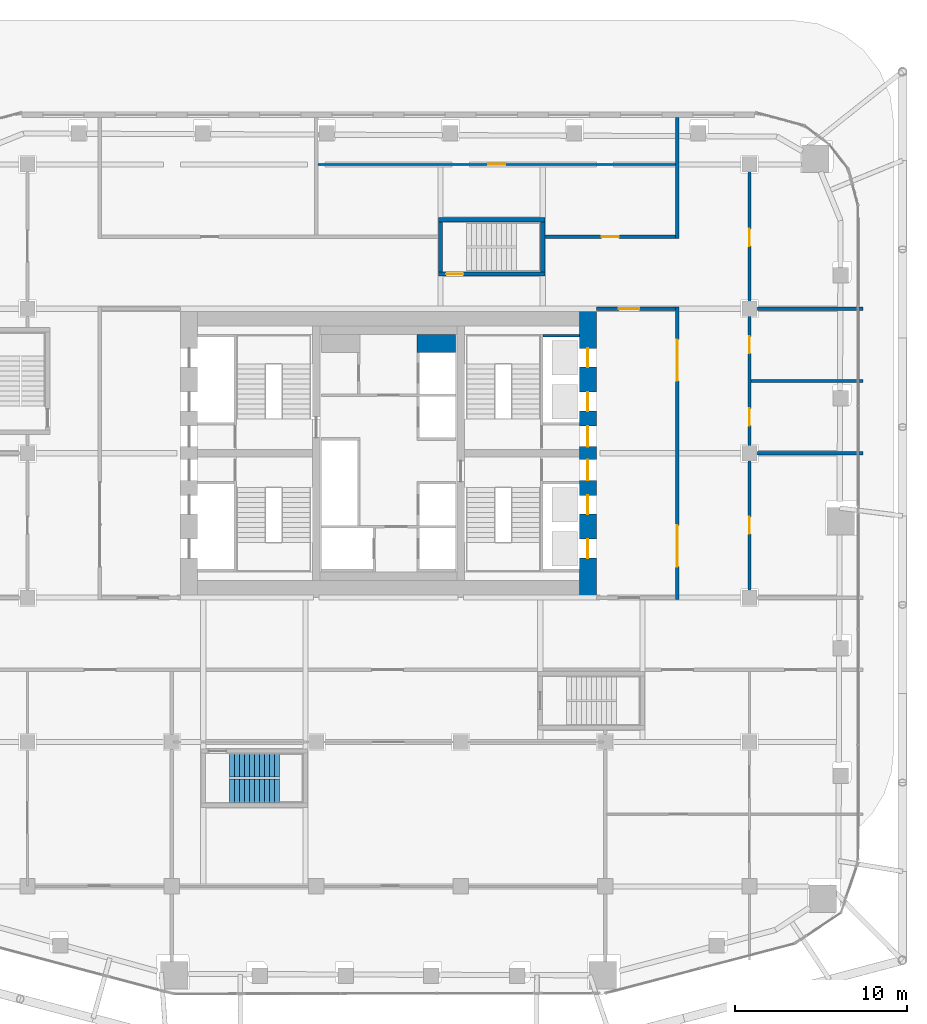
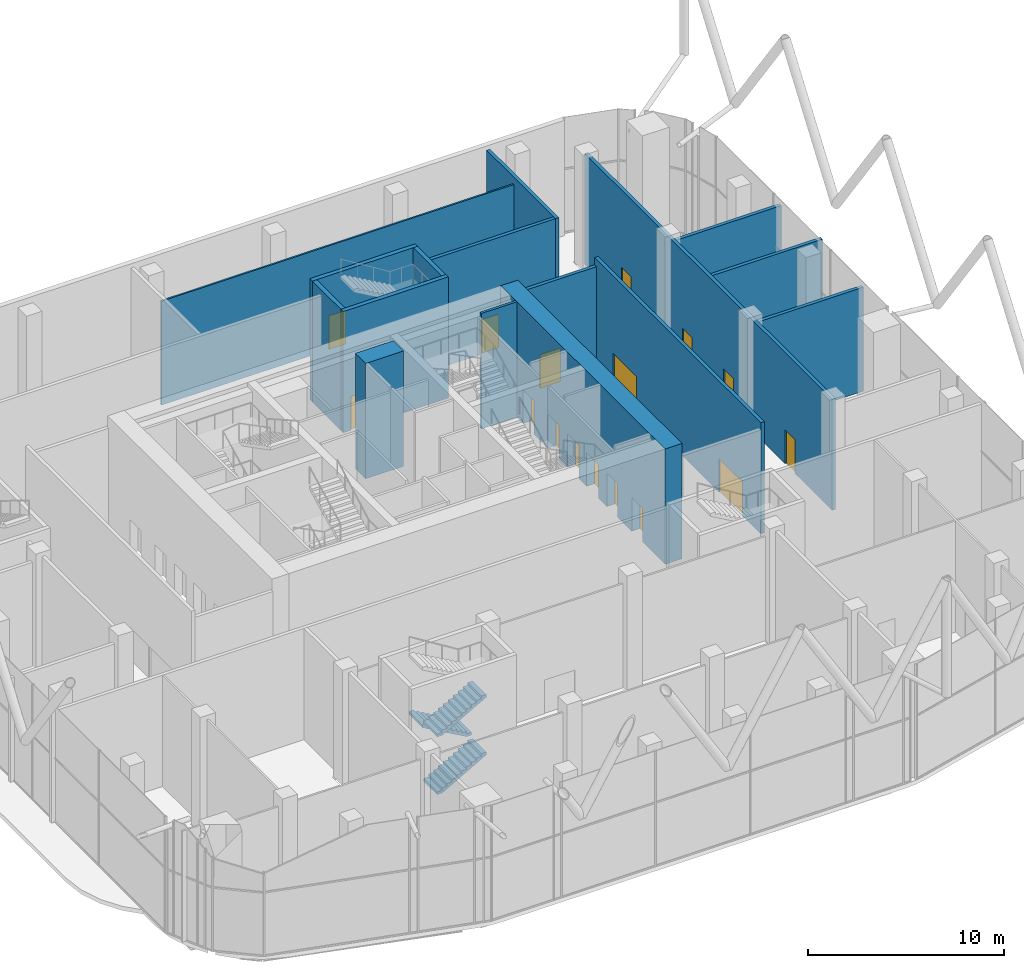
# One storey, part 28 of 34: 16 doors, 16 walls, 3 stair flights, 16 openings, 1 element without a shape of its own.
"""IFC4 building model written with IfcOpenShell, lengths in metres."""

from ifc_helpers import new_model, si_unit, direction, frame, frame_2d, origin, place, context, subcontext, project, spatial, polyline, rectangle, outline, extrude, material, layer, layer_set, type_object, element, fill, aggregate, save


model = new_model("IFC4")

# Units and contexts
model_context = context("Model", 3, precision=1e-05, world=origin(), true_north=direction((0.0, 1.0)))
body_context = subcontext(model_context, "Body", "Model", "MODEL_VIEW")
ifc_project = project(units=[si_unit("LENGTHUNIT", "METRE"), si_unit("AREAUNIT", "SQUARE_METRE"), si_unit("VOLUMEUNIT", "CUBIC_METRE"), si_unit("PLANEANGLEUNIT", "RADIAN"), si_unit("MASSUNIT", "GRAM", prefix="KILO")], contexts=[model_context])

# Site, building, storey
site_placement = place(None, origin())
site = spatial("IfcSite", under=ifc_project, at=site_placement, CompositionType="ELEMENT")
building_placement = place(site_placement, origin())
building = spatial("IfcBuilding", under=site, at=building_placement, Name="Marenta Gate Hotel Tower", CompositionType="ELEMENT")
storey_placement = place(building_placement, frame((0.0, 0.0, 97.699951171875)))
storey = spatial("IfcBuildingStorey", under=building, at=storey_placement, Name="L21", CompositionType="ELEMENT", Elevation=97.699951171875)

# Wall, openings, doors
ifc_material_1 = material(Name="Concrete blockwork", Category="masonry")
ifc_layer_1 = layer(ifc_material_1, 0.199951171875)
ifc_layer_set_1 = layer_set([ifc_layer_1], Name="Concrete blockwork")
wall_type_1 = type_object("IfcWallType", Name="Core boundary wall 200 REI 180", PredefinedType="PARTITIONING", material=ifc_layer_set_1)
wall_1_placement = place(storey_placement, frame((16.800048828125, -0.10009765625, 0.0), z_axis=(0.0, 0.0, 1.0), x_axis=(0.0, 1.0, 0.0)))
wall_1 = element("IfcWall", 1, at=wall_1_placement, inside=storey, type_object=wall_type_1, Name="L21-CP-BW-E", PredefinedType="PARTITIONING", context=body_context, shape_type="SweptSolid", body=[
    extrude(rectangle(XDim=17.0, YDim=0.199951171875, at=frame_2d((8.5, 0.0))), origin(), (0.0, 0.0, 1.0), 6.93994140625),
])
opening_1_placement = place(wall_1_placement, frame((1.89990234375, 0.0, 0.0)))
opening_1 = element("IfcOpeningElement", 2, at=opening_1_placement, cuts=wall_1, Name="Opening ED-Ea-A", PredefinedType="OPENING", context=body_context, shape_type="SweptSolid", body=[
    extrude(rectangle(XDim=2.39990234375, YDim=2.10009765625, at=frame_2d((1.199951171875, 1.050048828125))), frame((0.0, 0.10009765625, 0.0), z_axis=(0.0, -1.0, 0.0), x_axis=(1.0, 0.0, 0.0)), (0.0, 0.0, 1.0), 0.199951171875),
])
opening_2_placement = place(wall_1_placement, frame((12.699951171875, 0.0, 0.0)))
opening_2 = element("IfcOpeningElement", 3, at=opening_2_placement, cuts=wall_1, Name="Opening ED-Eb-A", PredefinedType="OPENING", context=body_context, shape_type="SweptSolid", body=[
    extrude(rectangle(XDim=2.39990234375, YDim=2.10009765625, at=frame_2d((1.199951171875, 1.050048828125))), frame((0.0, 0.10009765625, 0.0), z_axis=(0.0, -1.0, 0.0), x_axis=(1.0, 0.0, 0.0)), (0.0, 0.0, 1.0), 0.199951171875),
])
ifc_material_2 = material(Name="Steel", Category="steel")
door_type_1 = type_object("IfcDoorType", Name="Core lobby entrance door 2400x2100 EI 60", OperationType="DOUBLE_DOOR_SINGLE_SWING", PredefinedType="DOOR", material=ifc_material_2)
door_1_placement = place(opening_1_placement, origin())
door_1 = element("IfcDoor", 4, at=door_1_placement, inside=storey, type_object=door_type_1, Name="ED-Ea-A", OperationType="DOUBLE_DOOR_SINGLE_SWING", OverallHeight=2.10009765625, OverallWidth=2.39990234375, PredefinedType="DOOR", context=body_context, shape_type="SweptSolid", body=[
    extrude(rectangle(XDim=2.39990234375, YDim=2.10009765625, at=frame_2d((1.199951171875, 1.050048828125))), frame((0.0, 0.02490234375, 0.0), z_axis=(0.0, -1.0, 0.0), x_axis=(1.0, 0.0, 0.0)), (0.0, 0.0, 1.0), 0.050048828125),
])
fill(opening_1, door_1)
door_2_placement = place(opening_2_placement, origin())
door_2 = element("IfcDoor", 5, at=door_2_placement, inside=storey, type_object=door_type_1, Name="ED-Eb-A", OperationType="DOUBLE_DOOR_SINGLE_SWING", OverallHeight=2.10009765625, OverallWidth=2.39990234375, PredefinedType="DOOR", context=body_context, shape_type="SweptSolid", body=[
    extrude(rectangle(XDim=2.39990234375, YDim=2.10009765625, at=frame_2d((1.199951171875, 1.050048828125))), frame((0.0, 0.02490234375, 0.0), z_axis=(0.0, -1.0, 0.0), x_axis=(1.0, 0.0, 0.0)), (0.0, 0.0, 1.0), 0.050048828125),
])
fill(opening_2, door_2)

# Wall, opening, door
wall_2_placement = place(storey_placement, frame((12.10009765625, 16.800048828125, 0.0), z_axis=(0.0, 0.0, 1.0), x_axis=(1.0, 0.0, 0.0)))
wall_2 = element("IfcWall", 6, at=wall_2_placement, inside=storey, type_object=wall_type_1, Name="L21-CP-EW-EN", PredefinedType="PARTITIONING", context=body_context, shape_type="SweptSolid", body=[
    extrude(rectangle(XDim=4.599853515625, YDim=0.199951171875, at=frame_2d((2.2998046875, 0.0))), origin(), (0.0, 0.0, 1.0), 6.489990234375),
])
opening_3_placement = place(wall_2_placement, frame((1.300048828125, 0.0, 0.0)))
opening_3 = element("IfcOpeningElement", 7, at=opening_3_placement, cuts=wall_2, Name="Opening RS-Z2-4", PredefinedType="OPENING", context=body_context, shape_type="SweptSolid", body=[
    extrude(rectangle(XDim=1.199951171875, YDim=2.10009765625, at=frame_2d((0.60009765625, 1.050048828125))), frame((0.0, 0.10009765625, 0.0), z_axis=(0.0, -1.0, 0.0), x_axis=(1.0, 0.0, 0.0)), (0.0, 0.0, 1.0), 0.199951171875),
])
ifc_material_3 = material(Name="Steel", Category="steel")
door_type_2 = type_object("IfcDoorType", Name="Core lobby door 1200x2100 EI 60", OperationType="SINGLE_SWING_LEFT", PredefinedType="DOOR", material=ifc_material_3)
door_3_placement = place(opening_3_placement, origin())
door_3 = element("IfcDoor", 8, at=door_3_placement, inside=storey, type_object=door_type_2, Name="RS-Z2-4", OperationType="SINGLE_SWING_LEFT", OverallHeight=2.10009765625, OverallWidth=1.199951171875, PredefinedType="DOOR", context=body_context, shape_type="SweptSolid", body=[
    extrude(rectangle(XDim=1.199951171875, YDim=2.10009765625, at=frame_2d((0.60009765625, 1.050048828125))), frame((0.0, 0.02490234375, 0.0), z_axis=(0.0, -1.0, 0.0), x_axis=(1.0, 0.0, 0.0)), (0.0, 0.0, 1.0), 0.050048828125),
])
fill(opening_3, door_3)

# Walls
ifc_material_4 = material(Name="Concrete C40", Category="concrete")
ifc_layer_2 = layer(ifc_material_4, 1.050048828125)
ifc_layer_set_2 = layer_set([ifc_layer_2], Name="Concrete C40")
wall_type_2 = type_object("IfcWallType", Name="Core shaft wall 1050 REI 180", PredefinedType="SHEAR", material=ifc_layer_set_2)
wall_3_placement = place(storey_placement, frame((1.64990234375, 14.77490234375, 0.0), z_axis=(0.0, 0.0, 1.0), x_axis=(1.0, 0.0, 0.0)))
element("IfcWall", 9, at=wall_3_placement, inside=storey, type_object=wall_type_2, Name="L21-SHF-CE-N-top", PredefinedType="SHEAR", context=body_context, shape_type="SweptSolid", body=[
    extrude(rectangle(XDim=2.25, YDim=1.050048828125, at=frame_2d((1.125, 0.0))), origin(), (0.0, 0.0, 1.0), 7.199951171875),
])
ifc_material_5 = material(Name="Concrete C40", Category="concrete")
ifc_layer_3 = layer(ifc_material_5, 0.14990234375)
ifc_layer_set_3 = layer_set([ifc_layer_3], Name="Concrete C40")
wall_type_3 = type_object("IfcWallType", Name="Core shaft wall 150 REI 180", PredefinedType="SHEAR", material=ifc_layer_set_3)
wall_4_placement = place(storey_placement, frame((9.0, 15.22509765625, 0.0), z_axis=(0.0, 0.0, 1.0), x_axis=(1.0, 0.0, 0.0)))
element("IfcWall", 10, at=wall_4_placement, inside=storey, type_object=wall_type_3, Name="L21-SHF-SW-EN-5", PredefinedType="SHEAR", context=body_context, shape_type="SweptSolid", body=[
    extrude(rectangle(XDim=2.10009765625, YDim=0.14990234375, at=frame_2d((1.050048828125, 0.0))), origin(), (0.0, 0.0, 1.0), 7.199951171875),
])

# Wall, openings, doors
ifc_material_6 = material(Name="Concrete C70", Category="concrete")
ifc_layer_4 = layer(ifc_material_6, 1.0)
ifc_layer_set_4 = layer_set([ifc_layer_4], Name="Concrete C70")
wall_type_4 = type_object("IfcWallType", Name="Core wall 1000 C70", PredefinedType="SHEAR", material=ifc_layer_set_4)
wall_5_placement = place(storey_placement, frame((11.60009765625, 0.0, 0.0), z_axis=(0.0, 0.0, 1.0), x_axis=(0.0, 1.0, 0.0)))
wall_5 = element("IfcWall", 11, at=wall_5_placement, inside=storey, type_object=wall_type_4, Name="L21-CORE-E", PredefinedType="SHEAR", context=body_context, shape_type="SweptSolid", body=[
    extrude(rectangle(XDim=16.800048828125, YDim=1.0, at=frame_2d((8.39990234375, 0.0))), origin(), (0.0, 0.0, 1.0), 7.199951171875),
])
opening_4_placement = place(wall_5_placement, frame((2.300048828125, 0.0, 0.0)))
opening_4 = element("IfcOpeningElement", 12, at=opening_4_placement, cuts=wall_5, Name="Opening LD-HR1", PredefinedType="OPENING", context=body_context, shape_type="SweptSolid", body=[
    extrude(rectangle(XDim=1.10009765625, YDim=2.10009765625, at=frame_2d((0.550048828125, 1.050048828125))), frame((0.0, 0.5, 0.0), z_axis=(0.0, -1.0, 0.0), x_axis=(1.0, 0.0, 0.0)), (0.0, 0.0, 1.0), 1.0),
])
opening_5_placement = place(wall_5_placement, frame((4.85009765625, 0.0, 0.0)))
opening_5 = element("IfcOpeningElement", 13, at=opening_5_placement, cuts=wall_5, Name="Opening LD-HR2", PredefinedType="OPENING", context=body_context, shape_type="SweptSolid", body=[
    extrude(rectangle(XDim=1.10009765625, YDim=2.10009765625, at=frame_2d((0.550048828125, 1.050048828125))), frame((0.0, 0.5, 0.0), z_axis=(0.0, -1.0, 0.0), x_axis=(1.0, 0.0, 0.0)), (0.0, 0.0, 1.0), 1.0),
])
opening_6_placement = place(wall_5_placement, frame((6.824951171875, 0.0, 0.0)))
opening_6 = element("IfcOpeningElement", 14, at=opening_6_placement, cuts=wall_5, Name="Opening PD-ES", PredefinedType="OPENING", context=body_context, shape_type="SweptSolid", body=[
    extrude(rectangle(XDim=1.199951171875, YDim=2.10009765625, at=frame_2d((0.60009765625, 1.050048828125))), frame((0.0, 0.5, 0.0), z_axis=(0.0, -1.0, 0.0), x_axis=(1.0, 0.0, 0.0)), (0.0, 0.0, 1.0), 1.0),
])
opening_7_placement = place(wall_5_placement, frame((13.39990234375, 0.0, 0.0)))
opening_7 = element("IfcOpeningElement", 15, at=opening_7_placement, cuts=wall_5, Name="Opening LD-HR4", PredefinedType="OPENING", context=body_context, shape_type="SweptSolid", body=[
    extrude(rectangle(XDim=1.10009765625, YDim=2.10009765625, at=frame_2d((0.550048828125, 1.050048828125))), frame((0.0, 0.5, 0.0), z_axis=(0.0, -1.0, 0.0), x_axis=(1.0, 0.0, 0.0)), (0.0, 0.0, 1.0), 1.0),
])
opening_8_placement = place(wall_5_placement, frame((10.85009765625, 0.0, 0.0)))
opening_8 = element("IfcOpeningElement", 16, at=opening_8_placement, cuts=wall_5, Name="Opening LD-HR3", PredefinedType="OPENING", context=body_context, shape_type="SweptSolid", body=[
    extrude(rectangle(XDim=1.10009765625, YDim=2.10009765625, at=frame_2d((0.550048828125, 1.050048828125))), frame((0.0, 0.5, 0.0), z_axis=(0.0, -1.0, 0.0), x_axis=(1.0, 0.0, 0.0)), (0.0, 0.0, 1.0), 1.0),
])
opening_9_placement = place(wall_5_placement, frame((8.77490234375, 0.0, 0.0)))
opening_9 = element("IfcOpeningElement", 17, at=opening_9_placement, cuts=wall_5, Name="Opening PD-EN", PredefinedType="OPENING", context=body_context, shape_type="SweptSolid", body=[
    extrude(rectangle(XDim=1.199951171875, YDim=2.10009765625, at=frame_2d((0.60009765625, 1.050048828125))), frame((0.0, 0.5, 0.0), z_axis=(0.0, -1.0, 0.0), x_axis=(1.0, 0.0, 0.0)), (0.0, 0.0, 1.0), 1.0),
])
ifc_material_7 = material(Name="Steel", Category="steel")
door_type_3 = type_object("IfcDoorType", Name="Core lift landing door 1100x2100 E 60", OperationType="SLIDING_TO_LEFT", PredefinedType="DOOR", material=ifc_material_7)
door_4_placement = place(opening_4_placement, origin())
door_4 = element("IfcDoor", 18, at=door_4_placement, inside=storey, type_object=door_type_3, Name="LD-HR1", OperationType="SLIDING_TO_LEFT", OverallHeight=2.10009765625, OverallWidth=1.10009765625, PredefinedType="DOOR", context=body_context, shape_type="SweptSolid", body=[
    extrude(rectangle(XDim=1.10009765625, YDim=2.10009765625, at=frame_2d((0.550048828125, 1.050048828125))), frame((0.0, 0.02490234375, 0.0), z_axis=(0.0, -1.0, 0.0), x_axis=(1.0, 0.0, 0.0)), (0.0, 0.0, 1.0), 0.050048828125),
])
fill(opening_4, door_4)
door_5_placement = place(opening_5_placement, origin())
door_5 = element("IfcDoor", 19, at=door_5_placement, inside=storey, type_object=door_type_3, Name="LD-HR2", OperationType="SLIDING_TO_LEFT", OverallHeight=2.10009765625, OverallWidth=1.10009765625, PredefinedType="DOOR", context=body_context, shape_type="SweptSolid", body=[
    extrude(rectangle(XDim=1.10009765625, YDim=2.10009765625, at=frame_2d((0.550048828125, 1.050048828125))), frame((0.0, 0.02490234375, 0.0), z_axis=(0.0, -1.0, 0.0), x_axis=(1.0, 0.0, 0.0)), (0.0, 0.0, 1.0), 0.050048828125),
])
fill(opening_5, door_5)
door_6_placement = place(opening_7_placement, origin())
door_6 = element("IfcDoor", 20, at=door_6_placement, inside=storey, type_object=door_type_3, Name="LD-HR4", OperationType="SLIDING_TO_LEFT", OverallHeight=2.10009765625, OverallWidth=1.10009765625, PredefinedType="DOOR", context=body_context, shape_type="SweptSolid", body=[
    extrude(rectangle(XDim=1.10009765625, YDim=2.10009765625, at=frame_2d((0.550048828125, 1.050048828125))), frame((0.0, 0.02490234375, 0.0), z_axis=(0.0, -1.0, 0.0), x_axis=(1.0, 0.0, 0.0)), (0.0, 0.0, 1.0), 0.050048828125),
])
fill(opening_7, door_6)
door_7_placement = place(opening_8_placement, origin())
door_7 = element("IfcDoor", 21, at=door_7_placement, inside=storey, type_object=door_type_3, Name="LD-HR3", OperationType="SLIDING_TO_LEFT", OverallHeight=2.10009765625, OverallWidth=1.10009765625, PredefinedType="DOOR", context=body_context, shape_type="SweptSolid", body=[
    extrude(rectangle(XDim=1.10009765625, YDim=2.10009765625, at=frame_2d((0.550048828125, 1.050048828125))), frame((0.0, 0.02490234375, 0.0), z_axis=(0.0, -1.0, 0.0), x_axis=(1.0, 0.0, 0.0)), (0.0, 0.0, 1.0), 0.050048828125),
])
fill(opening_8, door_7)
ifc_material_8 = material(Name="Steel", Category="steel")
door_type_4 = type_object("IfcDoorType", Name="Core lobby door 1200x2100 FD60", OperationType="SINGLE_SWING_LEFT", PredefinedType="DOOR", material=ifc_material_8)
door_8_placement = place(opening_6_placement, origin())
door_8 = element("IfcDoor", 22, at=door_8_placement, inside=storey, type_object=door_type_4, Name="PD-ES", OperationType="SINGLE_SWING_LEFT", OverallHeight=2.10009765625, OverallWidth=1.199951171875, PredefinedType="DOOR", context=body_context, shape_type="SweptSolid", body=[
    extrude(rectangle(XDim=1.199951171875, YDim=2.10009765625, at=frame_2d((0.60009765625, 1.050048828125))), frame((0.0, 0.02490234375, 0.0), z_axis=(0.0, -1.0, 0.0), x_axis=(1.0, 0.0, 0.0)), (0.0, 0.0, 1.0), 0.050048828125),
])
fill(opening_6, door_8)
door_9_placement = place(opening_9_placement, origin())
door_9 = element("IfcDoor", 23, at=door_9_placement, inside=storey, type_object=door_type_4, Name="PD-EN", OperationType="SINGLE_SWING_LEFT", OverallHeight=2.10009765625, OverallWidth=1.199951171875, PredefinedType="DOOR", context=body_context, shape_type="SweptSolid", body=[
    extrude(rectangle(XDim=1.199951171875, YDim=2.10009765625, at=frame_2d((0.60009765625, 1.050048828125))), frame((0.0, 0.02490234375, 0.0), z_axis=(0.0, -1.0, 0.0), x_axis=(1.0, 0.0, 0.0)), (0.0, 0.0, 1.0), 0.050048828125),
])
fill(opening_9, door_9)

# Wall, opening, door
ifc_material_9 = material(Name="Concrete C40", Category="concrete")
ifc_layer_5 = layer(ifc_material_9, 0.25)
ifc_layer_set_5 = layer_set([ifc_layer_5], Name="Concrete C40")
wall_type_5 = type_object("IfcWallType", Name="Remote stair enclosure wall 250 REI 180", PredefinedType="SHEAR", material=ifc_layer_set_5)
wall_6_placement = place(storey_placement, frame((2.89990234375, 18.824951171875, -0.260009765625), z_axis=(0.0, 0.0, 1.0), x_axis=(1.0, 0.0, 0.0)))
wall_6 = element("IfcWall", 24, at=wall_6_placement, inside=storey, type_object=wall_type_5, Name="L21-RS-Z2-4-W1", PredefinedType="SHEAR", context=body_context, shape_type="SweptSolid", body=[
    extrude(rectangle(XDim=6.2001953125, YDim=0.25, at=frame_2d((3.10009765625, 0.0))), origin(), (0.0, 0.0, 1.0), 7.56005859375),
])
opening_10_placement = place(wall_6_placement, frame((0.449951171875, 0.0, 0.0)))
opening_10 = element("IfcOpeningElement", 25, at=opening_10_placement, cuts=wall_6, Name="Opening VD", PredefinedType="OPENING", context=body_context, shape_type="SweptSolid", body=[
    extrude(rectangle(XDim=1.0, YDim=2.10009765625, at=frame_2d((0.5, 1.050048828125))), frame((0.0, 0.125, 0.0), z_axis=(0.0, -1.0, 0.0), x_axis=(1.0, 0.0, 0.0)), (0.0, 0.0, 1.0), 0.25),
])
ifc_material_10 = material(Name="Steel", Category="steel")
door_type_5 = type_object("IfcDoorType", Name="Stair vestibule door 1000x2100 FD60", OperationType="SINGLE_SWING_LEFT", PredefinedType="DOOR", material=ifc_material_10)
door_10_placement = place(opening_10_placement, origin())
door_10 = element("IfcDoor", 26, at=door_10_placement, inside=storey, type_object=door_type_5, Name="VD", OperationType="SINGLE_SWING_LEFT", OverallHeight=2.10009765625, OverallWidth=1.0, PredefinedType="DOOR", context=body_context, shape_type="SweptSolid", body=[
    extrude(rectangle(XDim=1.0, YDim=2.10009765625, at=frame_2d((0.5, 1.050048828125))), frame((0.0, 0.02490234375, 0.0), z_axis=(0.0, -1.0, 0.0), x_axis=(1.0, 0.0, 0.0)), (0.0, 0.0, 1.0), 0.050048828125),
])
fill(opening_10, door_10)

# Walls
wall_7_placement = place(storey_placement, frame((2.89990234375, 21.97509765625, -0.260009765625), z_axis=(0.0, 0.0, 1.0), x_axis=(1.0, 0.0, 0.0)))
element("IfcWall", 27, at=wall_7_placement, inside=storey, type_object=wall_type_5, Name="L21-RS-Z2-4-W2", PredefinedType="SHEAR", context=body_context, shape_type="SweptSolid", body=[
    extrude(rectangle(XDim=6.2001953125, YDim=0.25, at=frame_2d((3.10009765625, 0.0))), origin(), (0.0, 0.0, 1.0), 7.56005859375),
])
for number, where, z_axis, x_axis, name in (
    (28, (3.02490234375, 18.949951171875, -0.260009765625), (0.0, 0.0, 1.0), (0.0, 1.0, 0.0), "L21-RS-Z2-4-W3"),
    (29, (8.97509765625, 18.949951171875, -0.260009765625), (0.0, 0.0, 1.0), (0.0, 1.0, 0.0), "L21-RS-Z2-4-W4"),
):
    element("IfcWall", number, at=place(storey_placement, frame(where, z_axis=z_axis, x_axis=x_axis)), inside=storey, type_object=wall_type_5, Name=name, PredefinedType="SHEAR", context=body_context, shape_type="SweptSolid", body=[
        extrude(rectangle(XDim=2.900146484375, YDim=0.25, at=frame_2d((1.4501953125, 0.0))), origin(), (0.0, 0.0, 1.0), 7.56005859375),
    ])
ifc_material_11 = material(Name="Concrete blockwork", Category="masonry")
ifc_layer_6 = layer(ifc_material_11, 0.199951171875)
ifc_layer_set_6 = layer_set([ifc_layer_6], Name="Concrete blockwork")
wall_type_6 = type_object("IfcWallType", Name="Room corridor wall 200 EI 120", PredefinedType="PARTITIONING", material=ifc_layer_set_6)
wall_8_placement = place(storey_placement, frame((16.800048828125, 20.89990234375, 0.0), z_axis=(0.0, 0.0, 1.0), x_axis=(0.0, 1.0, 0.0)))
element("IfcWall", 30, at=wall_8_placement, inside=storey, type_object=wall_type_6, Name="L21-PTN-W005", PredefinedType="PARTITIONING", context=body_context, shape_type="SweptSolid", body=[
    extrude(rectangle(XDim=7.0400390625, YDim=0.199951171875, at=frame_2d((3.52001953125, 0.0))), origin(), (0.0, 0.0, 1.0), 6.93994140625),
])

# Wall, openings, doors
ifc_material_12 = material(Name="Gypsum board on steel stud", Category="steel")
ifc_layer_7 = layer(ifc_material_12, 0.199951171875)
ifc_layer_set_7 = layer_set([ifc_layer_7], Name="Gypsum board on steel stud")
wall_type_7 = type_object("IfcWallType", Name="Room corridor wall 200 EI 60", PredefinedType="PARTITIONING", material=ifc_layer_set_7)
wall_9_placement = place(storey_placement, frame((21.0, -0.10009765625, 0.0), z_axis=(0.0, 0.0, 1.0), x_axis=(0.0, 1.0, 0.0)))
wall_9 = element("IfcWall", 31, at=wall_9_placement, inside=storey, type_object=wall_type_7, Name="L21-PTN-W004", PredefinedType="PARTITIONING", context=body_context, shape_type="SweptSolid", body=[
    extrude(rectangle(XDim=25.300048828125, YDim=0.199951171875, at=frame_2d((12.64990234375, 0.0))), origin(), (0.0, 0.0, 1.0), 6.93994140625),
])
opening_11_placement = place(wall_9_placement, frame((3.800048828125, 0.0, 0.0)))
opening_11 = element("IfcOpeningElement", 32, at=opening_11_placement, cuts=wall_9, Name="Opening S08-03", PredefinedType="OPENING", context=body_context, shape_type="SweptSolid", body=[
    extrude(rectangle(XDim=1.0, YDim=2.10009765625, at=frame_2d((0.5, 1.050048828125))), frame((0.0, 0.10009765625, 0.0), z_axis=(0.0, -1.0, 0.0), x_axis=(1.0, 0.0, 0.0)), (0.0, 0.0, 1.0), 0.199951171875),
])
opening_12_placement = place(wall_9_placement, frame((10.10009765625, 0.0, 0.0)))
opening_12 = element("IfcOpeningElement", 33, at=opening_12_placement, cuts=wall_9, Name="Opening S08-04", PredefinedType="OPENING", context=body_context, shape_type="SweptSolid", body=[
    extrude(rectangle(XDim=1.0, YDim=2.10009765625, at=frame_2d((0.5, 1.050048828125))), frame((0.0, 0.10009765625, 0.0), z_axis=(0.0, -1.0, 0.0), x_axis=(1.0, 0.0, 0.0)), (0.0, 0.0, 1.0), 0.199951171875),
])
opening_13_placement = place(wall_9_placement, frame((14.300048828125, 0.0, 0.0)))
opening_13 = element("IfcOpeningElement", 34, at=opening_13_placement, cuts=wall_9, Name="Opening S08-05", PredefinedType="OPENING", context=body_context, shape_type="SweptSolid", body=[
    extrude(rectangle(XDim=1.0, YDim=2.10009765625, at=frame_2d((0.5, 1.050048828125))), frame((0.0, 0.10009765625, 0.0), z_axis=(0.0, -1.0, 0.0), x_axis=(1.0, 0.0, 0.0)), (0.0, 0.0, 1.0), 0.199951171875),
])
opening_14_placement = place(wall_9_placement, frame((20.550048828125, 0.0, 0.0)))
opening_14 = element("IfcOpeningElement", 35, at=opening_14_placement, cuts=wall_9, Name="Opening S08-06", PredefinedType="OPENING", context=body_context, shape_type="SweptSolid", body=[
    extrude(rectangle(XDim=1.0, YDim=2.10009765625, at=frame_2d((0.5, 1.050048828125))), frame((0.0, 0.10009765625, 0.0), z_axis=(0.0, -1.0, 0.0), x_axis=(1.0, 0.0, 0.0)), (0.0, 0.0, 1.0), 0.199951171875),
])
ifc_material_13 = material(Name="Timber door leaf", Category="wood")
door_type_6 = type_object("IfcDoorType", Name="Room amenity door 1000x2100 EI 30", OperationType="NOTDEFINED", PredefinedType="DOOR", material=ifc_material_13)
door_11_placement = place(opening_11_placement, origin())
door_11 = element("IfcDoor", 36, at=door_11_placement, inside=storey, type_object=door_type_6, Name="L21-PD-D003", OperationType="SINGLE_SWING_RIGHT", OverallHeight=2.10009765625, OverallWidth=1.0, PredefinedType="DOOR", context=body_context, shape_type="SweptSolid", body=[
    extrude(rectangle(XDim=1.0, YDim=2.10009765625, at=frame_2d((0.5, 1.050048828125))), frame((0.0, 0.02490234375, 0.0), z_axis=(0.0, -1.0, 0.0), x_axis=(1.0, 0.0, 0.0)), (0.0, 0.0, 1.0), 0.050048828125),
])
fill(opening_11, door_11)
door_12_placement = place(opening_14_placement, origin())
door_12 = element("IfcDoor", 37, at=door_12_placement, inside=storey, type_object=door_type_6, Name="L21-PD-D006", OperationType="SINGLE_SWING_LEFT", OverallHeight=2.10009765625, OverallWidth=1.0, PredefinedType="DOOR", context=body_context, shape_type="SweptSolid", body=[
    extrude(rectangle(XDim=1.0, YDim=2.10009765625, at=frame_2d((0.5, 1.050048828125))), frame((0.0, 0.02490234375, 0.0), z_axis=(0.0, -1.0, 0.0), x_axis=(1.0, 0.0, 0.0)), (0.0, 0.0, 1.0), 0.050048828125),
])
fill(opening_14, door_12)
ifc_material_14 = material(Name="Timber door leaf", Category="wood")
door_type_7 = type_object("IfcDoorType", Name="Toilet room door 1000x2100 EI 30", OperationType="NOTDEFINED", PredefinedType="DOOR", material=ifc_material_14)
door_13_placement = place(opening_12_placement, origin())
door_13 = element("IfcDoor", 38, at=door_13_placement, inside=storey, type_object=door_type_7, Name="L21-PD-D004", OperationType="SINGLE_SWING_RIGHT", OverallHeight=2.10009765625, OverallWidth=1.0, PredefinedType="DOOR", context=body_context, shape_type="SweptSolid", body=[
    extrude(rectangle(XDim=1.0, YDim=2.10009765625, at=frame_2d((0.5, 1.050048828125))), frame((0.0, 0.02490234375, 0.0), z_axis=(0.0, -1.0, 0.0), x_axis=(1.0, 0.0, 0.0)), (0.0, 0.0, 1.0), 0.050048828125),
])
fill(opening_12, door_13)
door_14_placement = place(opening_13_placement, origin())
door_14 = element("IfcDoor", 39, at=door_14_placement, inside=storey, type_object=door_type_7, Name="L21-PD-D005", OperationType="SINGLE_SWING_LEFT", OverallHeight=2.10009765625, OverallWidth=1.0, PredefinedType="DOOR", context=body_context, shape_type="SweptSolid", body=[
    extrude(rectangle(XDim=1.0, YDim=2.10009765625, at=frame_2d((0.5, 1.050048828125))), frame((0.0, 0.02490234375, 0.0), z_axis=(0.0, -1.0, 0.0), x_axis=(1.0, 0.0, 0.0)), (0.0, 0.0, 1.0), 0.050048828125),
])
fill(opening_13, door_14)

# Wall, opening, door
wall_10_placement = place(storey_placement, frame((9.10009765625, 21.0, 0.0), z_axis=(0.0, 0.0, 1.0), x_axis=(1.0, 0.0, 0.0)))
wall_10 = element("IfcWall", 40, at=wall_10_placement, inside=storey, type_object=wall_type_7, Name="L21-PTN-W027", PredefinedType="PARTITIONING", context=body_context, shape_type="SweptSolid", body=[
    extrude(rectangle(XDim=7.599853515625, YDim=0.199951171875, at=frame_2d((3.7998046875, 0.0))), origin(), (0.0, 0.0, 1.0), 6.93994140625),
])
opening_15_placement = place(wall_10_placement, frame((3.300048828125, 0.0, 0.0)))
opening_15 = element("IfcOpeningElement", 41, at=opening_15_placement, cuts=wall_10, Name="Opening S08-08", PredefinedType="OPENING", context=body_context, shape_type="SweptSolid", body=[
    extrude(rectangle(XDim=1.0, YDim=2.10009765625, at=frame_2d((0.5, 1.050048828125))), frame((0.0, 0.10009765625, 0.0), z_axis=(0.0, -1.0, 0.0), x_axis=(1.0, 0.0, 0.0)), (0.0, 0.0, 1.0), 0.199951171875),
])
door_15_placement = place(opening_15_placement, origin())
door_15 = element("IfcDoor", 42, at=door_15_placement, inside=storey, type_object=door_type_6, Name="L21-PD-D008", OperationType="SINGLE_SWING_LEFT", OverallHeight=2.10009765625, OverallWidth=1.0, PredefinedType="DOOR", context=body_context, shape_type="SweptSolid", body=[
    extrude(rectangle(XDim=1.0, YDim=2.10009765625, at=frame_2d((0.5, 1.050048828125))), frame((0.0, 0.02490234375, 0.0), z_axis=(0.0, -1.0, 0.0), x_axis=(1.0, 0.0, 0.0)), (0.0, 0.0, 1.0), 0.050048828125),
])
fill(opening_15, door_15)

ifc_material_15 = material(Name="Gypsum board on steel stud", Category="steel")
ifc_layer_8 = layer(ifc_material_15, 0.10009765625)
ifc_layer_set_8 = layer_set([ifc_layer_8], Name="Gypsum board on steel stud")
wall_type_8 = type_object("IfcWallType", Name="Room partition 100", PredefinedType="PARTITIONING", material=ifc_layer_set_8)
wall_11_placement = place(storey_placement, frame((-4.10009765625, 25.199951171875, 0.0), z_axis=(0.0, 0.0, 1.0), x_axis=(1.0, 0.0, 0.0)))
wall_11 = element("IfcWall", 43, at=wall_11_placement, inside=storey, type_object=wall_type_8, Name="L21-PTN-W028", PredefinedType="PARTITIONING", context=body_context, shape_type="SweptSolid", body=[
    extrude(rectangle(XDim=20.800048828125, YDim=0.10009765625, at=frame_2d((10.39990234375, 0.0))), origin(), (0.0, 0.0, 1.0), 6.489990234375),
])
opening_16_placement = place(wall_11_placement, frame((9.89990234375, 0.0, 0.0)))
opening_16 = element("IfcOpeningElement", 44, at=opening_16_placement, cuts=wall_11, Name="Opening S08-09", PredefinedType="OPENING", context=body_context, shape_type="SweptSolid", body=[
    extrude(rectangle(XDim=1.0, YDim=2.10009765625, at=frame_2d((0.5, 1.050048828125))), frame((0.0, 0.050048828125, 0.0), z_axis=(0.0, -1.0, 0.0), x_axis=(1.0, 0.0, 0.0)), (0.0, 0.0, 1.0), 0.10009765625),
])
ifc_material_16 = material(Name="Hollow steel door set", Category="steel")
door_type_8 = type_object("IfcDoorType", Name="Room service door 1000x2100", OperationType="NOTDEFINED", PredefinedType="DOOR", material=ifc_material_16)
door_16_placement = place(opening_16_placement, origin())
door_16 = element("IfcDoor", 45, at=door_16_placement, inside=storey, type_object=door_type_8, Name="L21-PD-D009", OperationType="SINGLE_SWING_LEFT", OverallHeight=2.10009765625, OverallWidth=1.0, PredefinedType="DOOR", context=body_context, shape_type="SweptSolid", body=[
    extrude(rectangle(XDim=1.0, YDim=2.10009765625, at=frame_2d((0.5, 1.050048828125))), frame((0.0, 0.02490234375, 0.0), z_axis=(0.0, -1.0, 0.0), x_axis=(1.0, 0.0, 0.0)), (0.0, 0.0, 1.0), 0.050048828125),
])
fill(opening_16, door_16)

# Walls
ifc_material_17 = material(Name="Gypsum board on steel stud", Category="steel")
ifc_layer_9 = layer(ifc_material_17, 0.199951171875)
ifc_layer_set_9 = layer_set([ifc_layer_9], Name="Gypsum board on steel stud")
wall_type_9 = type_object("IfcWallType", Name="Room party wall 200 EI 60", PredefinedType="PARTITIONING", material=ifc_layer_set_9)
wall_12_placement = place(storey_placement, frame((21.10009765625, 8.39990234375, 0.0), z_axis=(0.0, 0.0, 1.0), x_axis=(1.0, 0.0, 0.0)))
element("IfcWall", 46, at=wall_12_placement, inside=storey, type_object=wall_type_9, Name="L21-PTN-W017", PredefinedType="PARTITIONING", context=body_context, shape_type="SweptSolid", body=[
    extrude(rectangle(XDim=6.5, YDim=0.199951171875, at=frame_2d((3.25, 0.0))), origin(), (0.0, 0.0, 1.0), 6.489990234375),
])
wall_13_placement = place(storey_placement, frame((21.10009765625, 12.60009765625, 0.0), z_axis=(0.0, 0.0, 1.0), x_axis=(1.0, 0.0, 0.0)))
element("IfcWall", 47, at=wall_13_placement, inside=storey, type_object=wall_type_9, Name="L21-PTN-W019", PredefinedType="PARTITIONING", context=body_context, shape_type="SweptSolid", body=[
    extrude(rectangle(XDim=6.5, YDim=0.199951171875, at=frame_2d((3.25, 0.0))), origin(), (0.0, 0.0, 1.0), 6.93994140625),
])
wall_14_placement = place(storey_placement, frame((21.10009765625, 16.800048828125, 0.0), z_axis=(0.0, 0.0, 1.0), x_axis=(1.0, 0.0, 0.0)))
element("IfcWall", 48, at=wall_14_placement, inside=storey, type_object=wall_type_9, Name="L21-PTN-W021", PredefinedType="PARTITIONING", context=body_context, shape_type="SweptSolid", body=[
    extrude(rectangle(XDim=6.5, YDim=0.199951171875, at=frame_2d((3.25, 0.0))), origin(), (0.0, 0.0, 1.0), 6.489990234375),
])

# Stair, stair flights
ifc_material_18 = material(Name="Concrete C40", Category="concrete")
stair_type = type_object("IfcStairType", Name="Remote exit stair 1400 wide", PredefinedType="HALF_TURN_STAIR", material=ifc_material_18)
stair_placement = place(storey_placement, origin())
stair = element("IfcStair", 49, at=stair_placement, inside=storey, type_object=stair_type, Name="Exit stair RS-Z2-1", PredefinedType="HALF_TURN_STAIR")
ifc_material_19 = material(Name="Concrete C40", Category="concrete")
stair_flight_type = type_object("IfcStairFlightType", Name="Remote stair flight 1400 riser 163.6 going 290", PredefinedType="STRAIGHT", material=ifc_material_19)
stair_flight_1_placement = place(storey_placement, frame((-9.25, -11.25, 0.0), z_axis=(0.0, 0.0, 1.0), x_axis=(1.0, 0.0, 0.0)))
stair_flight_1 = element("IfcStairFlight", 50, at=stair_flight_1_placement, type_object=stair_flight_type, Name="RS-Z2-1 flight 1", NumberOfRisers=11, NumberOfTreads=10, PredefinedType="STRAIGHT", RiserHeight=0.163636, TreadLength=0.29, context=body_context, shape_type="SweptSolid", body=[
    extrude(outline(polyline([(0.0, 0.0), (0.0, 0.16357421875), (0.2900390625, 0.16357421875), (0.2900390625, 0.327392578125), (0.580078125, 0.327392578125), (0.580078125, 0.490966796875), (0.8701171875, 0.490966796875), (0.8701171875, 0.654541015625), (1.159912109375, 0.654541015625), (1.159912109375, 0.818115234375), (1.449951171875, 0.818115234375), (1.449951171875, 0.98193359375), (1.739990234375, 0.98193359375), (1.739990234375, 1.1455078125), (2.030029296875, 1.1455078125), (2.030029296875, 1.30908203125), (2.320068359375, 1.30908203125), (2.320068359375, 1.47265625), (2.610107421875, 1.47265625), (2.610107421875, 1.636474609375), (2.89990234375, 1.636474609375), (2.89990234375, 1.800048828125), (2.89990234375, 1.46435546875), (0.304931640625, 0.0), (0.0, 0.0)])), frame((0.0, 0.699951171875, 0.0), z_axis=(0.0, -1.0, 0.0), x_axis=(1.0, 0.0, 0.0)), (0.0, 0.0, 1.0), 1.39990234375),
])
stair_flight_2_placement = place(storey_placement, frame((-6.35009765625, -9.75, 1.800048828125), z_axis=(0.0, 0.0, 1.0), x_axis=(-1.0, 0.0, 0.0)))
stair_flight_2 = element("IfcStairFlight", 51, at=stair_flight_2_placement, type_object=stair_flight_type, Name="RS-Z2-1 flight 2", NumberOfRisers=11, NumberOfTreads=10, PredefinedType="STRAIGHT", RiserHeight=0.163636, TreadLength=0.29, context=body_context, shape_type="SweptSolid", body=[
    extrude(outline(polyline([(0.0, 0.0), (0.0, 0.16357421875), (0.2900390625, 0.16357421875), (0.2900390625, 0.327392578125), (0.580078125, 0.327392578125), (0.580078125, 0.490966796875), (0.8701171875, 0.490966796875), (0.8701171875, 0.654541015625), (1.159912109375, 0.654541015625), (1.159912109375, 0.818115234375), (1.449951171875, 0.818115234375), (1.449951171875, 0.98193359375), (1.739990234375, 0.98193359375), (1.739990234375, 1.1455078125), (2.030029296875, 1.1455078125), (2.030029296875, 1.30908203125), (2.320068359375, 1.30908203125), (2.320068359375, 1.47265625), (2.610107421875, 1.47265625), (2.610107421875, 1.636474609375), (2.89990234375, 1.636474609375), (2.89990234375, 1.800048828125), (2.89990234375, 1.46435546875), (0.304931640625, 0.0), (0.0, 0.0)])), frame((0.0, 0.699951171875, 0.0), z_axis=(0.0, -1.0, 0.0), x_axis=(1.0, 0.0, 0.0)), (0.0, 0.0, 1.0), 1.39990234375),
])
stair_flight_3_placement = place(storey_placement, frame((-9.25, -11.25, 3.60009765625), z_axis=(0.0, 0.0, 1.0), x_axis=(1.0, 0.0, 0.0)))
stair_flight_3 = element("IfcStairFlight", 52, at=stair_flight_3_placement, type_object=stair_flight_type, Name="RS-Z2-1 flight 3", NumberOfRisers=11, NumberOfTreads=10, PredefinedType="STRAIGHT", RiserHeight=0.163636, TreadLength=0.29, context=body_context, shape_type="SweptSolid", body=[
    extrude(outline(polyline([(0.0, 0.0), (0.0, 0.16357421875), (0.2900390625, 0.16357421875), (0.2900390625, 0.327392578125), (0.580078125, 0.327392578125), (0.580078125, 0.490966796875), (0.8701171875, 0.490966796875), (0.8701171875, 0.654541015625), (1.159912109375, 0.654541015625), (1.159912109375, 0.818115234375), (1.449951171875, 0.818115234375), (1.449951171875, 0.98193359375), (1.739990234375, 0.98193359375), (1.739990234375, 1.1455078125), (2.030029296875, 1.1455078125), (2.030029296875, 1.30908203125), (2.320068359375, 1.30908203125), (2.320068359375, 1.47265625), (2.610107421875, 1.47265625), (2.610107421875, 1.636474609375), (2.89990234375, 1.636474609375), (2.89990234375, 1.800048828125), (2.89990234375, 1.46435546875), (0.304931640625, 0.0), (0.0, 0.0)])), frame((0.0, 0.699951171875, 0.0), z_axis=(0.0, -1.0, 0.0), x_axis=(1.0, 0.0, 0.0)), (0.0, 0.0, 1.0), 1.39990234375),
])
aggregate(stair, [stair_flight_1, stair_flight_2, stair_flight_3])

save(model, "model.ifc")
